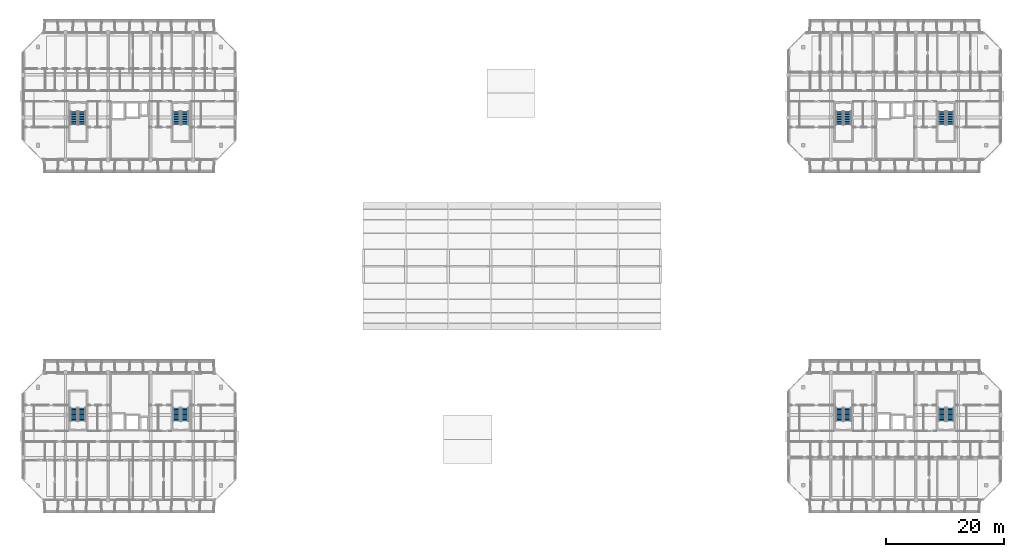
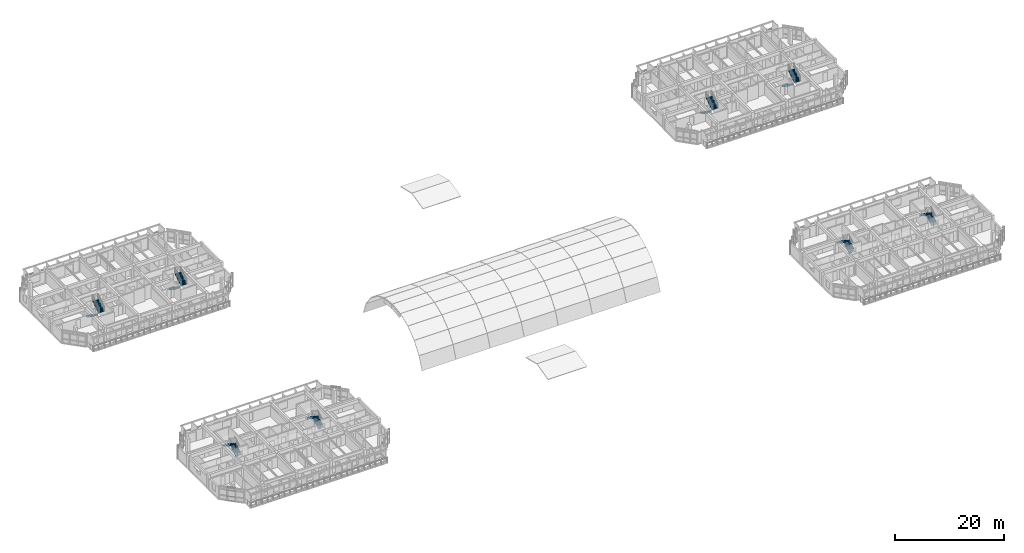
# One storey, part 36 of 51: 16 stair flights, 8 elements without a shape of their own.
"""IFC4 building model written with IfcOpenShell, lengths in metres."""

from ifc_helpers import new_model, si_unit, direction, frame, origin, place, context, subcontext, project, spatial, polyline, outline, extrude, material, type_object, element, aggregate, save


model = new_model("IFC4")

# Units and contexts
model_context = context("Model", 3, precision=1e-05, world=origin(), true_north=direction((0.0, 1.0)))
body_context = subcontext(model_context, "Body", "Model", "MODEL_VIEW")
ifc_project = project(units=[si_unit("LENGTHUNIT", "METRE"), si_unit("AREAUNIT", "SQUARE_METRE"), si_unit("VOLUMEUNIT", "CUBIC_METRE"), si_unit("PLANEANGLEUNIT", "RADIAN"), si_unit("MASSUNIT", "GRAM", prefix="KILO")], contexts=[model_context])

# Site, building, storey
site_placement = place(None, origin())
site = spatial("IfcSite", under=ifc_project, at=site_placement, CompositionType="ELEMENT")
building_placement = place(site_placement, origin())
building = spatial("IfcBuilding", under=site, at=building_placement, Name="Ochrevale Crest", CompositionType="ELEMENT")
storey_placement = place(building_placement, frame((0.0, 0.0, 11.85009765625)))
storey = spatial("IfcBuildingStorey", under=building, at=storey_placement, Name="L03", CompositionType="ELEMENT", Elevation=11.85009765625)

# Stair, stair flights
ifc_material = material(Name="Precast concrete C40/50", Category="concrete")
stair_type = type_object("IfcStairType", Name="ST-CORE-DOG", PredefinedType="HALF_TURN_STAIR", material=ifc_material)
stair_1_placement = place(storey_placement, origin())
stair_1 = element("IfcStair", 1, at=stair_1_placement, inside=storey, type_object=stair_type, Name="L03 Block A Fire Stair 1", PredefinedType="HALF_TURN_STAIR")
stair_flight_type = type_object("IfcStairFlightType", Name="SFL-CORE-125", PredefinedType="STRAIGHT", material=ifc_material)
stair_flight_1_placement = place(storey_placement, frame((10.02490234375, 27.77490234375, 0.0), z_axis=(0.0, 0.0, 1.0), x_axis=(0.0, 1.0, 0.0)))
stair_flight_1 = element("IfcStairFlight", 2, at=stair_flight_1_placement, type_object=stair_flight_type, Name="ST-A1 flight 1", NumberOfRisers=9, NumberOfTreads=8, PredefinedType="STRAIGHT", RiserHeight=0.175, TreadLength=0.28, context=body_context, shape_type="SweptSolid", body=[
    extrude(outline(polyline([(0.0, 0.0), (0.0, 0.175048828125), (0.280029296875, 0.175048828125), (0.280029296875, 0.35009765625), (0.56005859375, 0.35009765625), (0.56005859375, 0.52490234375), (0.840087890625, 0.52490234375), (0.840087890625, 0.699951171875), (1.1201171875, 0.699951171875), (1.1201171875, 0.875), (1.39990234375, 0.875), (1.39990234375, 1.050048828125), (1.679931640625, 1.050048828125), (1.679931640625, 1.22509765625), (1.9599609375, 1.22509765625), (1.9599609375, 1.39990234375), (2.239990234375, 1.39990234375), (2.239990234375, 1.574951171875), (2.239990234375, 1.22314453125), (0.28271484375, 0.0), (0.0, 0.0)])), frame((0.0, 0.625, 0.0), z_axis=(0.0, -1.0, 0.0), x_axis=(1.0, 0.0, 0.0)), (0.0, 0.0, 1.0), 1.25),
])
stair_flight_2_placement = place(storey_placement, frame((8.625, 30.014892578125, 1.574951171875), z_axis=(0.0, 0.0, 1.0), x_axis=(0.0, -1.0, 0.0)))
stair_flight_2 = element("IfcStairFlight", 3, at=stair_flight_2_placement, type_object=stair_flight_type, Name="ST-A1 flight 2", NumberOfRisers=9, NumberOfTreads=8, PredefinedType="STRAIGHT", RiserHeight=0.175, TreadLength=0.28, context=body_context, shape_type="SweptSolid", body=[
    extrude(outline(polyline([(0.0, 0.0), (0.0, 0.175048828125), (0.280029296875, 0.175048828125), (0.280029296875, 0.35009765625), (0.56005859375, 0.35009765625), (0.56005859375, 0.52490234375), (0.840087890625, 0.52490234375), (0.840087890625, 0.699951171875), (1.1201171875, 0.699951171875), (1.1201171875, 0.875), (1.39990234375, 0.875), (1.39990234375, 1.050048828125), (1.679931640625, 1.050048828125), (1.679931640625, 1.22509765625), (1.9599609375, 1.22509765625), (1.9599609375, 1.39990234375), (2.239990234375, 1.39990234375), (2.239990234375, 1.574951171875), (2.239990234375, 1.22314453125), (0.28271484375, 0.0), (0.0, 0.0)])), frame((0.0, 0.625, 0.0), z_axis=(0.0, -1.0, 0.0), x_axis=(1.0, 0.0, 0.0)), (0.0, 0.0, 1.0), 1.25),
])
aggregate(stair_1, [stair_flight_1, stair_flight_2])

stair_2_placement = place(storey_placement, origin())
stair_2 = element("IfcStair", 4, at=stair_2_placement, inside=storey, type_object=stair_type, Name="L03 Block A Fire Stair 2", PredefinedType="HALF_TURN_STAIR")
stair_flight_3_placement = place(storey_placement, frame((27.425048828125, 27.77490234375, 0.0), z_axis=(0.0, 0.0, 1.0), x_axis=(0.0, 1.0, 0.0)))
stair_flight_3 = element("IfcStairFlight", 5, at=stair_flight_3_placement, type_object=stair_flight_type, Name="ST-A2 flight 1", NumberOfRisers=9, NumberOfTreads=8, PredefinedType="STRAIGHT", RiserHeight=0.175, TreadLength=0.28, context=body_context, shape_type="SweptSolid", body=[
    extrude(outline(polyline([(0.0, 0.0), (0.0, 0.175048828125), (0.280029296875, 0.175048828125), (0.280029296875, 0.35009765625), (0.56005859375, 0.35009765625), (0.56005859375, 0.52490234375), (0.840087890625, 0.52490234375), (0.840087890625, 0.699951171875), (1.1201171875, 0.699951171875), (1.1201171875, 0.875), (1.39990234375, 0.875), (1.39990234375, 1.050048828125), (1.679931640625, 1.050048828125), (1.679931640625, 1.22509765625), (1.9599609375, 1.22509765625), (1.9599609375, 1.39990234375), (2.239990234375, 1.39990234375), (2.239990234375, 1.574951171875), (2.239990234375, 1.22314453125), (0.28271484375, 0.0), (0.0, 0.0)])), frame((0.0, 0.625, 0.0), z_axis=(0.0, -1.0, 0.0), x_axis=(1.0, 0.0, 0.0)), (0.0, 0.0, 1.0), 1.25),
])
stair_flight_4_placement = place(storey_placement, frame((26.02490234375, 30.014892578125, 1.574951171875), z_axis=(0.0, 0.0, 1.0), x_axis=(0.0, -1.0, 0.0)))
stair_flight_4 = element("IfcStairFlight", 6, at=stair_flight_4_placement, type_object=stair_flight_type, Name="ST-A2 flight 2", NumberOfRisers=9, NumberOfTreads=8, PredefinedType="STRAIGHT", RiserHeight=0.175, TreadLength=0.28, context=body_context, shape_type="SweptSolid", body=[
    extrude(outline(polyline([(0.0, 0.0), (0.0, 0.175048828125), (0.280029296875, 0.175048828125), (0.280029296875, 0.35009765625), (0.56005859375, 0.35009765625), (0.56005859375, 0.52490234375), (0.840087890625, 0.52490234375), (0.840087890625, 0.699951171875), (1.1201171875, 0.699951171875), (1.1201171875, 0.875), (1.39990234375, 0.875), (1.39990234375, 1.050048828125), (1.679931640625, 1.050048828125), (1.679931640625, 1.22509765625), (1.9599609375, 1.22509765625), (1.9599609375, 1.39990234375), (2.239990234375, 1.39990234375), (2.239990234375, 1.574951171875), (2.239990234375, 1.22314453125), (0.28271484375, 0.0), (0.0, 0.0)])), frame((0.0, 0.625, 0.0), z_axis=(0.0, -1.0, 0.0), x_axis=(1.0, 0.0, 0.0)), (0.0, 0.0, 1.0), 1.25),
])
aggregate(stair_2, [stair_flight_3, stair_flight_4])

stair_3_placement = place(storey_placement, origin())
stair_3 = element("IfcStair", 7, at=stair_3_placement, inside=storey, type_object=stair_type, Name="L03 Block B Fire Stair 1", PredefinedType="HALF_TURN_STAIR")
stair_flight_5_placement = place(storey_placement, frame((8.625, 80.22509765625, 0.0), z_axis=(0.0, 0.0, 1.0), x_axis=(0.0, -1.0, 0.0)))
stair_flight_5 = element("IfcStairFlight", 8, at=stair_flight_5_placement, type_object=stair_flight_type, Name="ST-B1 flight 1", NumberOfRisers=9, NumberOfTreads=8, PredefinedType="STRAIGHT", RiserHeight=0.175, TreadLength=0.28, context=body_context, shape_type="SweptSolid", body=[
    extrude(outline(polyline([(0.0, 0.0), (0.0, 0.175048828125), (0.280029296875, 0.175048828125), (0.280029296875, 0.35009765625), (0.56005859375, 0.35009765625), (0.56005859375, 0.52490234375), (0.840087890625, 0.52490234375), (0.840087890625, 0.699951171875), (1.1201171875, 0.699951171875), (1.1201171875, 0.875), (1.39990234375, 0.875), (1.39990234375, 1.050048828125), (1.679931640625, 1.050048828125), (1.679931640625, 1.22509765625), (1.9599609375, 1.22509765625), (1.9599609375, 1.39990234375), (2.239990234375, 1.39990234375), (2.239990234375, 1.574951171875), (2.239990234375, 1.22314453125), (0.28271484375, 0.0), (0.0, 0.0)])), frame((0.0, 0.625, 0.0), z_axis=(0.0, -1.0, 0.0), x_axis=(1.0, 0.0, 0.0)), (0.0, 0.0, 1.0), 1.25),
])
stair_flight_6_placement = place(storey_placement, frame((10.02490234375, 77.985107421875, 1.574951171875), z_axis=(0.0, 0.0, 1.0), x_axis=(0.0, 1.0, 0.0)))
stair_flight_6 = element("IfcStairFlight", 9, at=stair_flight_6_placement, type_object=stair_flight_type, Name="ST-B1 flight 2", NumberOfRisers=9, NumberOfTreads=8, PredefinedType="STRAIGHT", RiserHeight=0.175, TreadLength=0.28, context=body_context, shape_type="SweptSolid", body=[
    extrude(outline(polyline([(0.0, 0.0), (0.0, 0.175048828125), (0.280029296875, 0.175048828125), (0.280029296875, 0.35009765625), (0.56005859375, 0.35009765625), (0.56005859375, 0.52490234375), (0.840087890625, 0.52490234375), (0.840087890625, 0.699951171875), (1.1201171875, 0.699951171875), (1.1201171875, 0.875), (1.39990234375, 0.875), (1.39990234375, 1.050048828125), (1.679931640625, 1.050048828125), (1.679931640625, 1.22509765625), (1.9599609375, 1.22509765625), (1.9599609375, 1.39990234375), (2.239990234375, 1.39990234375), (2.239990234375, 1.574951171875), (2.239990234375, 1.22314453125), (0.28271484375, 0.0), (0.0, 0.0)])), frame((0.0, 0.625, 0.0), z_axis=(0.0, -1.0, 0.0), x_axis=(1.0, 0.0, 0.0)), (0.0, 0.0, 1.0), 1.25),
])
aggregate(stair_3, [stair_flight_5, stair_flight_6])

stair_4_placement = place(storey_placement, origin())
stair_4 = element("IfcStair", 10, at=stair_4_placement, inside=storey, type_object=stair_type, Name="L03 Block B Fire Stair 2", PredefinedType="HALF_TURN_STAIR")
stair_flight_7_placement = place(storey_placement, frame((26.02490234375, 80.22509765625, 0.0), z_axis=(0.0, 0.0, 1.0), x_axis=(0.0, -1.0, 0.0)))
stair_flight_7 = element("IfcStairFlight", 11, at=stair_flight_7_placement, type_object=stair_flight_type, Name="ST-B2 flight 1", NumberOfRisers=9, NumberOfTreads=8, PredefinedType="STRAIGHT", RiserHeight=0.175, TreadLength=0.28, context=body_context, shape_type="SweptSolid", body=[
    extrude(outline(polyline([(0.0, 0.0), (0.0, 0.175048828125), (0.280029296875, 0.175048828125), (0.280029296875, 0.35009765625), (0.56005859375, 0.35009765625), (0.56005859375, 0.52490234375), (0.840087890625, 0.52490234375), (0.840087890625, 0.699951171875), (1.1201171875, 0.699951171875), (1.1201171875, 0.875), (1.39990234375, 0.875), (1.39990234375, 1.050048828125), (1.679931640625, 1.050048828125), (1.679931640625, 1.22509765625), (1.9599609375, 1.22509765625), (1.9599609375, 1.39990234375), (2.239990234375, 1.39990234375), (2.239990234375, 1.574951171875), (2.239990234375, 1.22314453125), (0.28271484375, 0.0), (0.0, 0.0)])), frame((0.0, 0.625, 0.0), z_axis=(0.0, -1.0, 0.0), x_axis=(1.0, 0.0, 0.0)), (0.0, 0.0, 1.0), 1.25),
])
stair_flight_8_placement = place(storey_placement, frame((27.425048828125, 77.985107421875, 1.574951171875), z_axis=(0.0, 0.0, 1.0), x_axis=(0.0, 1.0, 0.0)))
stair_flight_8 = element("IfcStairFlight", 12, at=stair_flight_8_placement, type_object=stair_flight_type, Name="ST-B2 flight 2", NumberOfRisers=9, NumberOfTreads=8, PredefinedType="STRAIGHT", RiserHeight=0.175, TreadLength=0.28, context=body_context, shape_type="SweptSolid", body=[
    extrude(outline(polyline([(0.0, 0.0), (0.0, 0.175048828125), (0.280029296875, 0.175048828125), (0.280029296875, 0.35009765625), (0.56005859375, 0.35009765625), (0.56005859375, 0.52490234375), (0.840087890625, 0.52490234375), (0.840087890625, 0.699951171875), (1.1201171875, 0.699951171875), (1.1201171875, 0.875), (1.39990234375, 0.875), (1.39990234375, 1.050048828125), (1.679931640625, 1.050048828125), (1.679931640625, 1.22509765625), (1.9599609375, 1.22509765625), (1.9599609375, 1.39990234375), (2.239990234375, 1.39990234375), (2.239990234375, 1.574951171875), (2.239990234375, 1.22314453125), (0.28271484375, 0.0), (0.0, 0.0)])), frame((0.0, 0.625, 0.0), z_axis=(0.0, -1.0, 0.0), x_axis=(1.0, 0.0, 0.0)), (0.0, 0.0, 1.0), 1.25),
])
aggregate(stair_4, [stair_flight_7, stair_flight_8])

stair_5_placement = place(storey_placement, origin())
stair_5 = element("IfcStair", 13, at=stair_5_placement, inside=storey, type_object=stair_type, Name="L03 Block C Fire Stair 1", PredefinedType="HALF_TURN_STAIR")
stair_flight_9_placement = place(storey_placement, frame((139.625, 27.77490234375, 0.0), z_axis=(0.0, 0.0, 1.0), x_axis=(0.0, 1.0, 0.0)))
stair_flight_9 = element("IfcStairFlight", 14, at=stair_flight_9_placement, type_object=stair_flight_type, Name="ST-C1 flight 1", NumberOfRisers=9, NumberOfTreads=8, PredefinedType="STRAIGHT", RiserHeight=0.175, TreadLength=0.28, context=body_context, shape_type="SweptSolid", body=[
    extrude(outline(polyline([(0.0, 0.0), (0.0, 0.175048828125), (0.280029296875, 0.175048828125), (0.280029296875, 0.35009765625), (0.56005859375, 0.35009765625), (0.56005859375, 0.52490234375), (0.840087890625, 0.52490234375), (0.840087890625, 0.699951171875), (1.1201171875, 0.699951171875), (1.1201171875, 0.875), (1.39990234375, 0.875), (1.39990234375, 1.050048828125), (1.679931640625, 1.050048828125), (1.679931640625, 1.22509765625), (1.9599609375, 1.22509765625), (1.9599609375, 1.39990234375), (2.239990234375, 1.39990234375), (2.239990234375, 1.574951171875), (2.239990234375, 1.22314453125), (0.28271484375, 0.0), (0.0, 0.0)])), frame((0.0, 0.625, 0.0), z_axis=(0.0, -1.0, 0.0), x_axis=(1.0, 0.0, 0.0)), (0.0, 0.0, 1.0), 1.25),
])
stair_flight_10_placement = place(storey_placement, frame((138.22509765625, 30.014892578125, 1.574951171875), z_axis=(0.0, 0.0, 1.0), x_axis=(0.0, -1.0, 0.0)))
stair_flight_10 = element("IfcStairFlight", 15, at=stair_flight_10_placement, type_object=stair_flight_type, Name="ST-C1 flight 2", NumberOfRisers=9, NumberOfTreads=8, PredefinedType="STRAIGHT", RiserHeight=0.175, TreadLength=0.28, context=body_context, shape_type="SweptSolid", body=[
    extrude(outline(polyline([(0.0, 0.0), (0.0, 0.175048828125), (0.280029296875, 0.175048828125), (0.280029296875, 0.35009765625), (0.56005859375, 0.35009765625), (0.56005859375, 0.52490234375), (0.840087890625, 0.52490234375), (0.840087890625, 0.699951171875), (1.1201171875, 0.699951171875), (1.1201171875, 0.875), (1.39990234375, 0.875), (1.39990234375, 1.050048828125), (1.679931640625, 1.050048828125), (1.679931640625, 1.22509765625), (1.9599609375, 1.22509765625), (1.9599609375, 1.39990234375), (2.239990234375, 1.39990234375), (2.239990234375, 1.574951171875), (2.239990234375, 1.22314453125), (0.28271484375, 0.0), (0.0, 0.0)])), frame((0.0, 0.625, 0.0), z_axis=(0.0, -1.0, 0.0), x_axis=(1.0, 0.0, 0.0)), (0.0, 0.0, 1.0), 1.25),
])
aggregate(stair_5, [stair_flight_9, stair_flight_10])

stair_6_placement = place(storey_placement, origin())
stair_6 = element("IfcStair", 16, at=stair_6_placement, inside=storey, type_object=stair_type, Name="L03 Block C Fire Stair 2", PredefinedType="HALF_TURN_STAIR")
stair_flight_11_placement = place(storey_placement, frame((157.02490234375, 27.77490234375, 0.0), z_axis=(0.0, 0.0, 1.0), x_axis=(0.0, 1.0, 0.0)))
stair_flight_11 = element("IfcStairFlight", 17, at=stair_flight_11_placement, type_object=stair_flight_type, Name="ST-C2 flight 1", NumberOfRisers=9, NumberOfTreads=8, PredefinedType="STRAIGHT", RiserHeight=0.175, TreadLength=0.28, context=body_context, shape_type="SweptSolid", body=[
    extrude(outline(polyline([(0.0, 0.0), (0.0, 0.175048828125), (0.280029296875, 0.175048828125), (0.280029296875, 0.35009765625), (0.56005859375, 0.35009765625), (0.56005859375, 0.52490234375), (0.840087890625, 0.52490234375), (0.840087890625, 0.699951171875), (1.1201171875, 0.699951171875), (1.1201171875, 0.875), (1.39990234375, 0.875), (1.39990234375, 1.050048828125), (1.679931640625, 1.050048828125), (1.679931640625, 1.22509765625), (1.9599609375, 1.22509765625), (1.9599609375, 1.39990234375), (2.239990234375, 1.39990234375), (2.239990234375, 1.574951171875), (2.239990234375, 1.22314453125), (0.28271484375, 0.0), (0.0, 0.0)])), frame((0.0, 0.625, 0.0), z_axis=(0.0, -1.0, 0.0), x_axis=(1.0, 0.0, 0.0)), (0.0, 0.0, 1.0), 1.25),
])
stair_flight_12_placement = place(storey_placement, frame((155.625, 30.014892578125, 1.574951171875), z_axis=(0.0, 0.0, 1.0), x_axis=(0.0, -1.0, 0.0)))
stair_flight_12 = element("IfcStairFlight", 18, at=stair_flight_12_placement, type_object=stair_flight_type, Name="ST-C2 flight 2", NumberOfRisers=9, NumberOfTreads=8, PredefinedType="STRAIGHT", RiserHeight=0.175, TreadLength=0.28, context=body_context, shape_type="SweptSolid", body=[
    extrude(outline(polyline([(0.0, 0.0), (0.0, 0.175048828125), (0.280029296875, 0.175048828125), (0.280029296875, 0.35009765625), (0.56005859375, 0.35009765625), (0.56005859375, 0.52490234375), (0.840087890625, 0.52490234375), (0.840087890625, 0.699951171875), (1.1201171875, 0.699951171875), (1.1201171875, 0.875), (1.39990234375, 0.875), (1.39990234375, 1.050048828125), (1.679931640625, 1.050048828125), (1.679931640625, 1.22509765625), (1.9599609375, 1.22509765625), (1.9599609375, 1.39990234375), (2.239990234375, 1.39990234375), (2.239990234375, 1.574951171875), (2.239990234375, 1.22314453125), (0.28271484375, 0.0), (0.0, 0.0)])), frame((0.0, 0.625, 0.0), z_axis=(0.0, -1.0, 0.0), x_axis=(1.0, 0.0, 0.0)), (0.0, 0.0, 1.0), 1.25),
])
aggregate(stair_6, [stair_flight_11, stair_flight_12])

stair_7_placement = place(storey_placement, origin())
stair_7 = element("IfcStair", 19, at=stair_7_placement, inside=storey, type_object=stair_type, Name="L03 Block D Fire Stair 1", PredefinedType="HALF_TURN_STAIR")
stair_flight_13_placement = place(storey_placement, frame((138.22509765625, 80.22509765625, 0.0), z_axis=(0.0, 0.0, 1.0), x_axis=(0.0, -1.0, 0.0)))
stair_flight_13 = element("IfcStairFlight", 20, at=stair_flight_13_placement, type_object=stair_flight_type, Name="ST-D1 flight 1", NumberOfRisers=9, NumberOfTreads=8, PredefinedType="STRAIGHT", RiserHeight=0.175, TreadLength=0.28, context=body_context, shape_type="SweptSolid", body=[
    extrude(outline(polyline([(0.0, 0.0), (0.0, 0.175048828125), (0.280029296875, 0.175048828125), (0.280029296875, 0.35009765625), (0.56005859375, 0.35009765625), (0.56005859375, 0.52490234375), (0.840087890625, 0.52490234375), (0.840087890625, 0.699951171875), (1.1201171875, 0.699951171875), (1.1201171875, 0.875), (1.39990234375, 0.875), (1.39990234375, 1.050048828125), (1.679931640625, 1.050048828125), (1.679931640625, 1.22509765625), (1.9599609375, 1.22509765625), (1.9599609375, 1.39990234375), (2.239990234375, 1.39990234375), (2.239990234375, 1.574951171875), (2.239990234375, 1.22314453125), (0.28271484375, 0.0), (0.0, 0.0)])), frame((0.0, 0.625, 0.0), z_axis=(0.0, -1.0, 0.0), x_axis=(1.0, 0.0, 0.0)), (0.0, 0.0, 1.0), 1.25),
])
stair_flight_14_placement = place(storey_placement, frame((139.625, 77.985107421875, 1.574951171875), z_axis=(0.0, 0.0, 1.0), x_axis=(0.0, 1.0, 0.0)))
stair_flight_14 = element("IfcStairFlight", 21, at=stair_flight_14_placement, type_object=stair_flight_type, Name="ST-D1 flight 2", NumberOfRisers=9, NumberOfTreads=8, PredefinedType="STRAIGHT", RiserHeight=0.175, TreadLength=0.28, context=body_context, shape_type="SweptSolid", body=[
    extrude(outline(polyline([(0.0, 0.0), (0.0, 0.175048828125), (0.280029296875, 0.175048828125), (0.280029296875, 0.35009765625), (0.56005859375, 0.35009765625), (0.56005859375, 0.52490234375), (0.840087890625, 0.52490234375), (0.840087890625, 0.699951171875), (1.1201171875, 0.699951171875), (1.1201171875, 0.875), (1.39990234375, 0.875), (1.39990234375, 1.050048828125), (1.679931640625, 1.050048828125), (1.679931640625, 1.22509765625), (1.9599609375, 1.22509765625), (1.9599609375, 1.39990234375), (2.239990234375, 1.39990234375), (2.239990234375, 1.574951171875), (2.239990234375, 1.22314453125), (0.28271484375, 0.0), (0.0, 0.0)])), frame((0.0, 0.625, 0.0), z_axis=(0.0, -1.0, 0.0), x_axis=(1.0, 0.0, 0.0)), (0.0, 0.0, 1.0), 1.25),
])
aggregate(stair_7, [stair_flight_13, stair_flight_14])

stair_8_placement = place(storey_placement, origin())
stair_8 = element("IfcStair", 22, at=stair_8_placement, inside=storey, type_object=stair_type, Name="L03 Block D Fire Stair 2", PredefinedType="HALF_TURN_STAIR")
stair_flight_15_placement = place(storey_placement, frame((155.625, 80.22509765625, 0.0), z_axis=(0.0, 0.0, 1.0), x_axis=(0.0, -1.0, 0.0)))
stair_flight_15 = element("IfcStairFlight", 23, at=stair_flight_15_placement, type_object=stair_flight_type, Name="ST-D2 flight 1", NumberOfRisers=9, NumberOfTreads=8, PredefinedType="STRAIGHT", RiserHeight=0.175, TreadLength=0.28, context=body_context, shape_type="SweptSolid", body=[
    extrude(outline(polyline([(0.0, 0.0), (0.0, 0.175048828125), (0.280029296875, 0.175048828125), (0.280029296875, 0.35009765625), (0.56005859375, 0.35009765625), (0.56005859375, 0.52490234375), (0.840087890625, 0.52490234375), (0.840087890625, 0.699951171875), (1.1201171875, 0.699951171875), (1.1201171875, 0.875), (1.39990234375, 0.875), (1.39990234375, 1.050048828125), (1.679931640625, 1.050048828125), (1.679931640625, 1.22509765625), (1.9599609375, 1.22509765625), (1.9599609375, 1.39990234375), (2.239990234375, 1.39990234375), (2.239990234375, 1.574951171875), (2.239990234375, 1.22314453125), (0.28271484375, 0.0), (0.0, 0.0)])), frame((0.0, 0.625, 0.0), z_axis=(0.0, -1.0, 0.0), x_axis=(1.0, 0.0, 0.0)), (0.0, 0.0, 1.0), 1.25),
])
stair_flight_16_placement = place(storey_placement, frame((157.02490234375, 77.985107421875, 1.574951171875), z_axis=(0.0, 0.0, 1.0), x_axis=(0.0, 1.0, 0.0)))
stair_flight_16 = element("IfcStairFlight", 24, at=stair_flight_16_placement, type_object=stair_flight_type, Name="ST-D2 flight 2", NumberOfRisers=9, NumberOfTreads=8, PredefinedType="STRAIGHT", RiserHeight=0.175, TreadLength=0.28, context=body_context, shape_type="SweptSolid", body=[
    extrude(outline(polyline([(0.0, 0.0), (0.0, 0.175048828125), (0.280029296875, 0.175048828125), (0.280029296875, 0.35009765625), (0.56005859375, 0.35009765625), (0.56005859375, 0.52490234375), (0.840087890625, 0.52490234375), (0.840087890625, 0.699951171875), (1.1201171875, 0.699951171875), (1.1201171875, 0.875), (1.39990234375, 0.875), (1.39990234375, 1.050048828125), (1.679931640625, 1.050048828125), (1.679931640625, 1.22509765625), (1.9599609375, 1.22509765625), (1.9599609375, 1.39990234375), (2.239990234375, 1.39990234375), (2.239990234375, 1.574951171875), (2.239990234375, 1.22314453125), (0.28271484375, 0.0), (0.0, 0.0)])), frame((0.0, 0.625, 0.0), z_axis=(0.0, -1.0, 0.0), x_axis=(1.0, 0.0, 0.0)), (0.0, 0.0, 1.0), 1.25),
])
aggregate(stair_8, [stair_flight_15, stair_flight_16])

save(model, "model.ifc")
